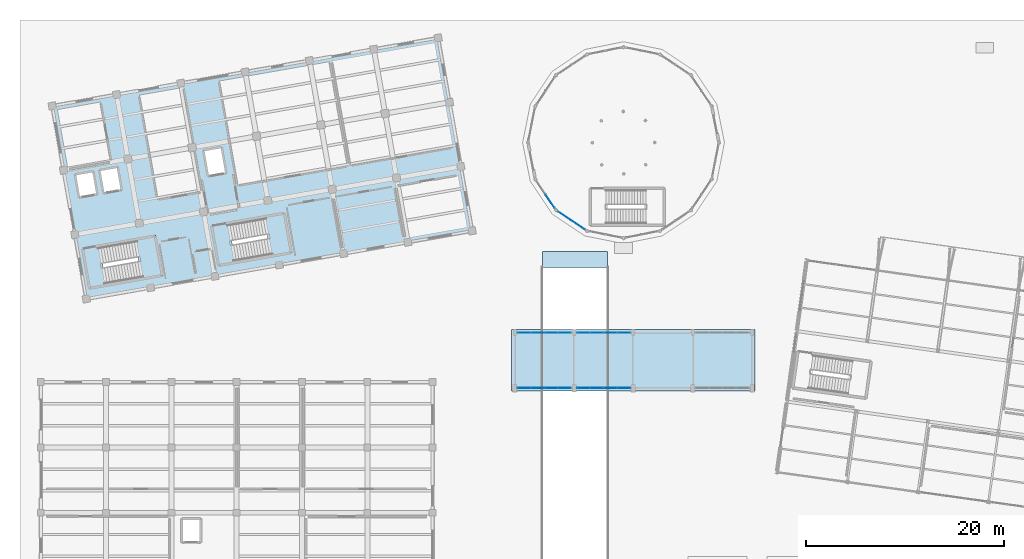
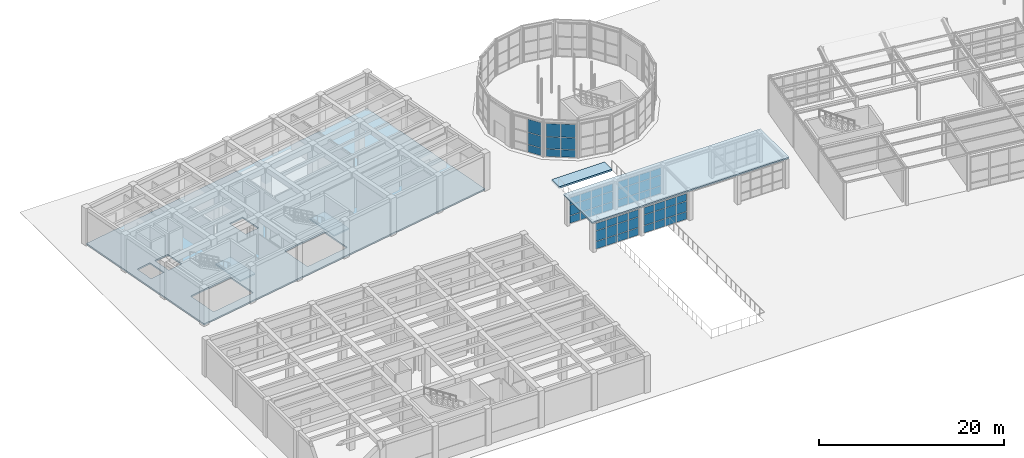
# One storey, part 32 of 57: 57 plates, 5 slabs, 8 elements without a shape of their own.
"""IFC4 building model written with IfcOpenShell, lengths in metres."""

import ifcopenshell
import ifcopenshell.guid

model = None  # the IFC model being written
_history = None  # IfcOwnerHistory: only IFC2X3 demands one
_inside = {}  # id of a spatial element -> (the spatial element, [elements in it])
_under = {}  # id of a project, library or spatial element -> (it, [spatial elements below it])
_declared = {}  # id of a project -> (the project, [libraries it declares])
_typed = {}  # id of a type object -> (the type object, [elements of that type])
_made_of = {}  # id of a material, layer set ... -> (it, [elements and type objects made of it])


def new_model(schema):
    """Start an empty IFC model of exactly this schema.

    Asked for "IFC4X3", IfcOpenShell would pick the latest addendum, in which some entities
    have other attributes; the version numbers below select the first issue.
    IFC2X3 requires an IfcOwnerHistory on every rooted entity: one is made here for all.
    """
    global model, _history
    if schema == "IFC4X3":
        model = ifcopenshell.file(schema_version=(4, 3, 0, 0))
    else:
        model = ifcopenshell.file(schema=schema)
    _inside.clear()
    _under.clear()
    _declared.clear()
    _typed.clear()
    _made_of.clear()
    _history = None
    if model.schema == "IFC2X3":
        org = make("IfcOrganization", Name="unknown")
        user = make(
            "IfcPersonAndOrganization",
            ThePerson=make("IfcPerson", FamilyName="unknown"),
            TheOrganization=org,
        )
        app = make(
            "IfcApplication",
            ApplicationDeveloper=org,
            Version="unknown",
            ApplicationFullName="unknown",
            ApplicationIdentifier="unknown",
        )
        _history = make(
            "IfcOwnerHistory",
            OwningUser=user,
            OwningApplication=app,
            ChangeAction="ADDED",
            CreationDate=0,
        )
    return model


def make(cls, **values):
    """One entity of the class cls with the attributes given. An attribute that is None is left unset."""
    return model.create_entity(
        cls, **{name: value for name, value in values.items() if value is not None}
    )


def rooted(cls, **values):
    """An entity with a GlobalId (a new one), such as an element, a storey or a relation."""
    return make(cls, GlobalId=ifcopenshell.guid.new(), OwnerHistory=_history, **values)


def si_unit(unit_type, name, prefix=None):
    """IfcSIUnit, for example si_unit("LENGTHUNIT", "METRE", prefix="MILLI")."""
    return make("IfcSIUnit", UnitType=unit_type, Prefix=prefix, Name=name)


def assignment(units):
    """IfcUnitAssignment: the units of a project."""
    return None if units is None else make("IfcUnitAssignment", Units=units)


def point(xyz):
    """IfcCartesianPoint."""
    return None if xyz is None else make("IfcCartesianPoint", Coordinates=xyz)


def direction(xyz):
    """IfcDirection."""
    return None if xyz is None else make("IfcDirection", DirectionRatios=xyz)


def frame(location, z_axis=None, x_axis=None):
    """IfcAxis2Placement3D, a coordinate frame: its origin and axes. An axis left out is left unset."""
    return make(
        "IfcAxis2Placement3D",
        Location=point(location),
        Axis=direction(z_axis),
        RefDirection=direction(x_axis),
    )


def frame_2d(location, x_axis=None):
    """IfcAxis2Placement2D, a coordinate frame in the plane: its origin and x axis."""
    return make(
        "IfcAxis2Placement2D", Location=point(location), RefDirection=direction(x_axis)
    )


def origin():
    """The frame at (0, 0, 0) with its axes left unset."""
    return frame((0.0, 0.0, 0.0))


def origin_2d():
    """The frame at (0, 0) in the plane with its x axis left unset."""
    return frame_2d((0.0, 0.0))


def place(relative_to, where):
    """IfcLocalPlacement: puts the frame where relative to a parent placement (None: the world)."""
    return make(
        "IfcLocalPlacement", PlacementRelTo=relative_to, RelativePlacement=where
    )


def context(
    kind, dimensions, precision=None, world=None, true_north=None, identifier=None
):
    """IfcGeometricRepresentationContext, for example the 3D "Model" context."""
    return make(
        "IfcGeometricRepresentationContext",
        ContextIdentifier=identifier,
        ContextType=kind,
        CoordinateSpaceDimension=dimensions,
        Precision=precision,
        WorldCoordinateSystem=world,
        TrueNorth=true_north,
    )


def subcontext(parent, identifier, kind, view, scale=None):
    """IfcGeometricRepresentationSubContext, for example "Body" below "Model"."""
    return make(
        "IfcGeometricRepresentationSubContext",
        ContextIdentifier=identifier,
        ContextType=kind,
        ParentContext=parent,
        TargetScale=scale,
        TargetView=view,
    )


def project(units=None, contexts=None):
    """IfcProject with its units and contexts."""
    return rooted(
        "IfcProject",
        Name="project",
        RepresentationContexts=contexts,
        UnitsInContext=assignment(units),
    )


def spatial(cls, under=None, at=None, **own):
    """A site, building, storey or space (cls), placed at a placement, below another one or the project."""
    s = rooted(cls, ObjectPlacement=at, **own)
    if under is not None:
        _under.setdefault(under.id(), (under, []))[1].append(s)
    return s


def polyline(points):
    """IfcPolyline through the points."""
    return make("IfcPolyline", Points=[point(p) for p in points])


def profile(cls, at=None, kind="AREA", **sizes):
    """A parametric profile (cls). Its sizes go by their IFC names, for example OverallWidth=200.0."""
    return make(cls, ProfileType=kind, Position=at, **sizes)


def rectangle(**sizes):
    """IfcRectangleProfileDef."""
    return profile("IfcRectangleProfileDef", **sizes)


def outline(outer, holes=None, kind="AREA"):
    """IfcArbitraryClosedProfileDef: a profile drawn as a closed curve; with holes, ...WithVoids."""
    if holes is None:
        return make("IfcArbitraryClosedProfileDef", ProfileType=kind, OuterCurve=outer)
    return make(
        "IfcArbitraryProfileDefWithVoids",
        ProfileType=kind,
        OuterCurve=outer,
        InnerCurves=holes,
    )


def extrude(swept, where, along, depth):
    """IfcExtrudedAreaSolid: the profile swept, set in the frame where, extruded along a direction by depth."""
    return make(
        "IfcExtrudedAreaSolid",
        SweptArea=swept,
        Position=where,
        ExtrudedDirection=direction(along),
        Depth=depth,
    )


def shape(context_of_items, identifier, shape_type, items):
    """IfcShapeRepresentation: the items that make up one representation, for example the "Body"."""
    return make(
        "IfcShapeRepresentation",
        ContextOfItems=context_of_items,
        RepresentationIdentifier=identifier,
        RepresentationType=shape_type,
        Items=items,
    )


def material(Name=None, Category=None):
    """IfcMaterial."""
    return make("IfcMaterial", Name=Name, Category=Category)


def layer(
    of_material, thickness, ventilated=None, Name=None, Category=None, Priority=None
):
    """IfcMaterialLayer: one layer of a wall or slab, of a material (None: an air gap)."""
    return make(
        "IfcMaterialLayer",
        Material=of_material,
        LayerThickness=thickness,
        IsVentilated=ventilated,
        Name=Name,
        Category=Category,
        Priority=Priority,
    )


def layer_set(layers, Name=None):
    """IfcMaterialLayerSet."""
    return make("IfcMaterialLayerSet", MaterialLayers=layers, LayerSetName=Name)


def made_of(thing, what):
    """Note that an element or type object is made of a material, layer set ...; save() writes the relation."""
    if what is not None:
        _made_of.setdefault(what.id(), (what, []))[1].append(thing)
    return thing


def type_object(cls, material=None, **own):
    """A type object (cls), such as IfcWallType, which elements share."""
    return made_of(rooted(cls, **own), material)


def element(
    cls,
    number,
    at=None,
    inside=None,
    cuts=None,
    type_object=None,
    material=None,
    context=None,
    identifier="Body",
    shape_type=None,
    held_by="IfcProductDefinitionShape",
    body=None,
    shapes=None,
    **own,
):
    """One element of the class cls, such as IfcWall. Its Tag is "e" and its number.

    at: its placement. inside: the storey or other place that contains it. cuts: it is an
    opening in that element (IfcRelVoidsElement). A single representation is given by context,
    identifier, shape_type and body (its items); several are given by shapes. held_by: the class
    of the entity that holds the representations. save() writes the other relations.
    """
    e = rooted(cls, Tag="e%d" % number, ObjectPlacement=at, **own)
    if body is not None:
        shapes = [shape(context, identifier, shape_type, body)]
    if shapes is not None:
        e.Representation = make(held_by, Representations=shapes)
    if inside is not None:
        _inside.setdefault(inside.id(), (inside, []))[1].append(e)
    if cuts is not None:
        rooted(
            "IfcRelVoidsElement", RelatingBuildingElement=cuts, RelatedOpeningElement=e
        )
    if type_object is not None:
        _typed.setdefault(type_object.id(), (type_object, []))[1].append(e)
    return made_of(e, material)


def aggregate(whole, parts):
    """IfcRelAggregates: a whole, such as a stair, and the parts it consists of."""
    return rooted("IfcRelAggregates", RelatingObject=whole, RelatedObjects=parts)


def save(model, path):
    """Write the relations noted so far, then the file.

    IfcRelAggregates (storeys below a building ...), IfcRelContainedInSpatialStructure (elements
    in a storey), IfcRelDefinesByType, IfcRelAssociatesMaterial and IfcRelDeclares: one each for
    every whole, place, type object, material and project.
    """
    for whole, parts in _under.values():
        aggregate(whole, parts)
    for where, things in _inside.values():
        rooted(
            "IfcRelContainedInSpatialStructure",
            RelatedElements=things,
            RelatingStructure=where,
        )
    for kind, things in _typed.values():
        rooted("IfcRelDefinesByType", RelatedObjects=things, RelatingType=kind)
    for what, things in _made_of.values():
        rooted("IfcRelAssociatesMaterial", RelatedObjects=things, RelatingMaterial=what)
    for by, libraries in _declared.values():
        rooted("IfcRelDeclares", RelatingContext=by, RelatedDefinitions=libraries)
    model.write(path)


model = new_model("IFC4")

# Units and contexts
model_context = context("Model", 3, precision=1e-05, world=origin(), true_north=direction((0.0, 1.0)))
body_context = subcontext(model_context, "Body", "Model", "MODEL_VIEW")
ifc_project = project(units=[si_unit("LENGTHUNIT", "METRE"), si_unit("AREAUNIT", "SQUARE_METRE"), si_unit("VOLUMEUNIT", "CUBIC_METRE"), si_unit("PLANEANGLEUNIT", "RADIAN"), si_unit("MASSUNIT", "GRAM", prefix="KILO")], contexts=[model_context])

# Site, building, storey
site_placement = place(None, origin())
site = spatial("IfcSite", under=ifc_project, at=site_placement, CompositionType="ELEMENT")
building_placement = place(site_placement, origin())
building = spatial("IfcBuilding", under=site, at=building_placement, Name="Kharisveld Research Institute", CompositionType="ELEMENT")
storey_placement = place(building_placement, origin())
storey = spatial("IfcBuildingStorey", under=building, at=storey_placement, Name="L00", CompositionType="ELEMENT", Elevation=0.0)

# Curtain wall, plates
ifc_material_1 = material(Name="Thermally Broken Aluminium Curtain Wall", Category="aluminium")
ifc_layer_1 = layer(ifc_material_1, 0.159912109375)
ifc_layer_set_1 = layer_set([ifc_layer_1], Name="CW_SYS_06")
curtain_wall_type_1 = type_object("IfcCurtainWallType", Name="CW_SYS_06", PredefinedType="NOTDEFINED", material=ifc_layer_set_1)
curtain_wall_1_placement = place(storey_placement, origin())
curtain_wall_1 = element("IfcCurtainWall", 1, at=curtain_wall_1_placement, inside=storey, type_object=curtain_wall_type_1, Name="CW:V6:L00:CHORD09", PredefinedType="NOTDEFINED")
ifc_material_2 = material(Name="Low-E Double Glazing", Category="glass")
ifc_layer_2 = layer(ifc_material_2, 0.028076171875)
ifc_layer_set_2 = layer_set([ifc_layer_2], Name="CW_PNL_GLZ")
plate_type = type_object("IfcPlateType", Name="CW_PNL_GLZ", PredefinedType="CURTAIN_PANEL", material=ifc_layer_set_2)
plate_1_placement = place(storey_placement, frame((52.084716796875, 44.862060546875, 0.06005859375), z_axis=(0.0, 0.0, 1.0), x_axis=(-0.555570109828, 0.831469694616, 0.0)))
plate_1 = element("IfcPlate", 2, at=plate_1_placement, type_object=plate_type, Name="CW-06 panel 1.1", PredefinedType="CURTAIN_PANEL", context=body_context, shape_type="SweptSolid", body=[
    extrude(rectangle(XDim=1.570068359375, YDim=0.028076171875, at=origin_2d()), origin(), (0.0, 0.0, 1.0), 0.9599609375),
])
plate_2_placement = place(storey_placement, frame((52.084716796875, 44.862060546875, 1.080078125), z_axis=(0.0, 0.0, 1.0), x_axis=(-0.555570109828, 0.831469694616, 0.0)))
plate_2 = element("IfcPlate", 3, at=plate_2_placement, type_object=plate_type, Name="CW-06 panel 1.2", PredefinedType="CURTAIN_PANEL", context=body_context, shape_type="SweptSolid", body=[
    extrude(rectangle(XDim=1.570068359375, YDim=0.028076171875, at=origin_2d()), origin(), (0.0, 0.0, 1.0), 1.5400390625),
])
plate_3_placement = place(storey_placement, frame((52.084716796875, 44.862060546875, 2.679931640625), z_axis=(0.0, 0.0, 1.0), x_axis=(-0.555570109828, 0.831469694616, 0.0)))
plate_3 = element("IfcPlate", 4, at=plate_3_placement, type_object=plate_type, Name="CW-06 panel 1.3", PredefinedType="CURTAIN_PANEL", context=body_context, shape_type="SweptSolid", body=[
    extrude(rectangle(XDim=1.570068359375, YDim=0.028076171875, at=origin_2d()), origin(), (0.0, 0.0, 1.0), 1.7099609375),
])
aggregate(curtain_wall_1, [plate_1, plate_2, plate_3])

ifc_material_3 = material(Name="Thermally Broken Aluminium Curtain Wall", Category="aluminium")
ifc_layer_3 = layer(ifc_material_3, 0.159912109375)
ifc_layer_set_3 = layer_set([ifc_layer_3], Name="CW_SYS_01")
curtain_wall_type_2 = type_object("IfcCurtainWallType", Name="CW_SYS_01", PredefinedType="NOTDEFINED", material=ifc_layer_set_3)
curtain_wall_2_placement = place(storey_placement, origin())
curtain_wall_2 = element("IfcCurtainWall", 5, at=curtain_wall_2_placement, inside=storey, type_object=curtain_wall_type_2, Name="CW:V6:L00:CHORD10", PredefinedType="NOTDEFINED")
plate_4_placement = place(storey_placement, frame((54.921630859375, 42.476318359375, 0.06005859375), z_axis=(0.0, 0.0, 1.0), x_axis=(-0.831469694616, 0.555570109828, 0.0)))
plate_4 = element("IfcPlate", 6, at=plate_4_placement, type_object=plate_type, Name="CW-01 panel 1.1", PredefinedType="CURTAIN_PANEL", context=body_context, shape_type="SweptSolid", body=[
    extrude(rectangle(XDim=1.570068359375, YDim=0.028076171875, at=origin_2d()), origin(), (0.0, 0.0, 1.0), 0.9599609375),
])
plate_5_placement = place(storey_placement, frame((54.921630859375, 42.476318359375, 1.080078125), z_axis=(0.0, 0.0, 1.0), x_axis=(-0.831469694616, 0.555570109828, 0.0)))
plate_5 = element("IfcPlate", 7, at=plate_5_placement, type_object=plate_type, Name="CW-01 panel 1.2", PredefinedType="CURTAIN_PANEL", context=body_context, shape_type="SweptSolid", body=[
    extrude(rectangle(XDim=1.570068359375, YDim=0.028076171875, at=origin_2d()), origin(), (0.0, 0.0, 1.0), 1.5400390625),
])
plate_6_placement = place(storey_placement, frame((54.921630859375, 42.476318359375, 2.679931640625), z_axis=(0.0, 0.0, 1.0), x_axis=(-0.831469694616, 0.555570109828, 0.0)))
plate_6 = element("IfcPlate", 8, at=plate_6_placement, type_object=plate_type, Name="CW-01 panel 1.3", PredefinedType="CURTAIN_PANEL", context=body_context, shape_type="SweptSolid", body=[
    extrude(rectangle(XDim=1.570068359375, YDim=0.028076171875, at=origin_2d()), origin(), (0.0, 0.0, 1.0), 1.7099609375),
])
plate_7_placement = place(storey_placement, frame((53.56201171875, 43.384765625, 0.06005859375), z_axis=(0.0, 0.0, 1.0), x_axis=(-0.831469694616, 0.555570109828, 0.0)))
plate_7 = element("IfcPlate", 9, at=plate_7_placement, type_object=plate_type, Name="CW-01 panel 2.1", PredefinedType="CURTAIN_PANEL", context=body_context, shape_type="SweptSolid", body=[
    extrude(rectangle(XDim=1.570068359375, YDim=0.028076171875, at=origin_2d()), origin(), (0.0, 0.0, 1.0), 0.9599609375),
])
plate_8_placement = place(storey_placement, frame((53.56201171875, 43.384765625, 1.080078125), z_axis=(0.0, 0.0, 1.0), x_axis=(-0.831469694616, 0.555570109828, 0.0)))
plate_8 = element("IfcPlate", 10, at=plate_8_placement, type_object=plate_type, Name="CW-01 panel 2.2", PredefinedType="CURTAIN_PANEL", context=body_context, shape_type="SweptSolid", body=[
    extrude(rectangle(XDim=1.570068359375, YDim=0.028076171875, at=origin_2d()), origin(), (0.0, 0.0, 1.0), 1.5400390625),
])
plate_9_placement = place(storey_placement, frame((53.56201171875, 43.384765625, 2.679931640625), z_axis=(0.0, 0.0, 1.0), x_axis=(-0.831469694616, 0.555570109828, 0.0)))
plate_9 = element("IfcPlate", 11, at=plate_9_placement, type_object=plate_type, Name="CW-01 panel 2.3", PredefinedType="CURTAIN_PANEL", context=body_context, shape_type="SweptSolid", body=[
    extrude(rectangle(XDim=1.570068359375, YDim=0.028076171875, at=origin_2d()), origin(), (0.0, 0.0, 1.0), 1.7099609375),
])
aggregate(curtain_wall_2, [plate_4, plate_5, plate_6, plate_7, plate_8, plate_9])

ifc_material_4 = material(Name="Thermally Broken Aluminium Curtain Wall", Category="aluminium")
ifc_layer_4 = layer(ifc_material_4, 0.159912109375)
ifc_layer_set_4 = layer_set([ifc_layer_4], Name="CW_SYS_02")
curtain_wall_type_3 = type_object("IfcCurtainWallType", Name="CW_SYS_02", PredefinedType="NOTDEFINED", material=ifc_layer_set_4)
curtain_wall_3_placement = place(storey_placement, origin())
curtain_wall_3 = element("IfcCurtainWall", 12, at=curtain_wall_3_placement, inside=storey, type_object=curtain_wall_type_3, Name="CW:ARC:L00:S1", PredefinedType="NOTDEFINED")
plate_10_placement = place(storey_placement, frame((53.538818359375, 26.0, 0.06005859375), z_axis=(0.0, 0.0, 1.0), x_axis=(-1.0, 0.0, 0.0)))
plate_10 = element("IfcPlate", 13, at=plate_10_placement, type_object=plate_type, Name="CW-02 panel 1.1", PredefinedType="CURTAIN_PANEL", context=body_context, shape_type="SweptSolid", body=[
    extrude(rectangle(XDim=1.2724609375, YDim=0.028076171875, at=origin_2d()), origin(), (0.0, 0.0, 1.0), 0.9599609375),
])
plate_11_placement = place(storey_placement, frame((53.538818359375, 26.0, 1.080078125), z_axis=(0.0, 0.0, 1.0), x_axis=(-1.0, 0.0, 0.0)))
plate_11 = element("IfcPlate", 14, at=plate_11_placement, type_object=plate_type, Name="CW-02 panel 1.2", PredefinedType="CURTAIN_PANEL", context=body_context, shape_type="SweptSolid", body=[
    extrude(rectangle(XDim=1.2724609375, YDim=0.028076171875, at=origin_2d()), origin(), (0.0, 0.0, 1.0), 1.340087890625),
])
plate_12_placement = place(storey_placement, frame((53.538818359375, 26.0, 2.47998046875), z_axis=(0.0, 0.0, 1.0), x_axis=(-1.0, 0.0, 0.0)))
plate_12 = element("IfcPlate", 15, at=plate_12_placement, type_object=plate_type, Name="CW-02 panel 1.3", PredefinedType="CURTAIN_PANEL", context=body_context, shape_type="SweptSolid", body=[
    extrude(rectangle(XDim=1.2724609375, YDim=0.028076171875, at=origin_2d()), origin(), (0.0, 0.0, 1.0), 0.93994140625),
])
plate_13_placement = place(storey_placement, frame((52.18505859375, 26.0, 0.06005859375), z_axis=(0.0, 0.0, 1.0), x_axis=(-1.0, 0.0, 0.0)))
plate_13 = element("IfcPlate", 16, at=plate_13_placement, type_object=plate_type, Name="CW-02 panel 2.1", PredefinedType="CURTAIN_PANEL", context=body_context, shape_type="SweptSolid", body=[
    extrude(rectangle(XDim=1.304931640625, YDim=0.028076171875, at=origin_2d()), origin(), (0.0, 0.0, 1.0), 0.9599609375),
])
plate_14_placement = place(storey_placement, frame((52.18505859375, 26.0, 1.080078125), z_axis=(0.0, 0.0, 1.0), x_axis=(-1.0, 0.0, 0.0)))
plate_14 = element("IfcPlate", 17, at=plate_14_placement, type_object=plate_type, Name="CW-02 panel 2.2", PredefinedType="CURTAIN_PANEL", context=body_context, shape_type="SweptSolid", body=[
    extrude(rectangle(XDim=1.304931640625, YDim=0.028076171875, at=origin_2d()), origin(), (0.0, 0.0, 1.0), 1.340087890625),
])
plate_15_placement = place(storey_placement, frame((52.18505859375, 26.0, 2.47998046875), z_axis=(0.0, 0.0, 1.0), x_axis=(-1.0, 0.0, 0.0)))
plate_15 = element("IfcPlate", 18, at=plate_15_placement, type_object=plate_type, Name="CW-02 panel 2.3", PredefinedType="CURTAIN_PANEL", context=body_context, shape_type="SweptSolid", body=[
    extrude(rectangle(XDim=1.304931640625, YDim=0.028076171875, at=origin_2d()), origin(), (0.0, 0.0, 1.0), 0.93994140625),
])
plate_16_placement = place(storey_placement, frame((50.81494140625, 26.0, 0.06005859375), z_axis=(0.0, 0.0, 1.0), x_axis=(-1.0, 0.0, 0.0)))
plate_16 = element("IfcPlate", 19, at=plate_16_placement, type_object=plate_type, Name="CW-02 panel 3.1", PredefinedType="CURTAIN_PANEL", context=body_context, shape_type="SweptSolid", body=[
    extrude(rectangle(XDim=1.304931640625, YDim=0.028076171875, at=origin_2d()), origin(), (0.0, 0.0, 1.0), 0.9599609375),
])
plate_17_placement = place(storey_placement, frame((50.81494140625, 26.0, 1.080078125), z_axis=(0.0, 0.0, 1.0), x_axis=(-1.0, 0.0, 0.0)))
plate_17 = element("IfcPlate", 20, at=plate_17_placement, type_object=plate_type, Name="CW-02 panel 3.2", PredefinedType="CURTAIN_PANEL", context=body_context, shape_type="SweptSolid", body=[
    extrude(rectangle(XDim=1.304931640625, YDim=0.028076171875, at=origin_2d()), origin(), (0.0, 0.0, 1.0), 1.340087890625),
])
plate_18_placement = place(storey_placement, frame((50.81494140625, 26.0, 2.47998046875), z_axis=(0.0, 0.0, 1.0), x_axis=(-1.0, 0.0, 0.0)))
plate_18 = element("IfcPlate", 21, at=plate_18_placement, type_object=plate_type, Name="CW-02 panel 3.3", PredefinedType="CURTAIN_PANEL", context=body_context, shape_type="SweptSolid", body=[
    extrude(rectangle(XDim=1.304931640625, YDim=0.028076171875, at=origin_2d()), origin(), (0.0, 0.0, 1.0), 0.93994140625),
])
plate_19_placement = place(storey_placement, frame((49.461181640625, 26.0, 0.06005859375), z_axis=(0.0, 0.0, 1.0), x_axis=(-1.0, 0.0, 0.0)))
plate_19 = element("IfcPlate", 22, at=plate_19_placement, type_object=plate_type, Name="CW-02 panel 4.1", PredefinedType="CURTAIN_PANEL", context=body_context, shape_type="SweptSolid", body=[
    extrude(rectangle(XDim=1.2724609375, YDim=0.028076171875, at=origin_2d()), origin(), (0.0, 0.0, 1.0), 0.9599609375),
])
plate_20_placement = place(storey_placement, frame((49.461181640625, 26.0, 1.080078125), z_axis=(0.0, 0.0, 1.0), x_axis=(-1.0, 0.0, 0.0)))
plate_20 = element("IfcPlate", 23, at=plate_20_placement, type_object=plate_type, Name="CW-02 panel 4.2", PredefinedType="CURTAIN_PANEL", context=body_context, shape_type="SweptSolid", body=[
    extrude(rectangle(XDim=1.2724609375, YDim=0.028076171875, at=origin_2d()), origin(), (0.0, 0.0, 1.0), 1.340087890625),
])
plate_21_placement = place(storey_placement, frame((49.461181640625, 26.0, 2.47998046875), z_axis=(0.0, 0.0, 1.0), x_axis=(-1.0, 0.0, 0.0)))
plate_21 = element("IfcPlate", 24, at=plate_21_placement, type_object=plate_type, Name="CW-02 panel 4.3", PredefinedType="CURTAIN_PANEL", context=body_context, shape_type="SweptSolid", body=[
    extrude(rectangle(XDim=1.2724609375, YDim=0.028076171875, at=origin_2d()), origin(), (0.0, 0.0, 1.0), 0.93994140625),
])
aggregate(curtain_wall_3, [plate_10, plate_11, plate_12, plate_13, plate_14, plate_15, plate_16, plate_17, plate_18, plate_19, plate_20, plate_21])

curtain_wall_4_placement = place(storey_placement, origin())
curtain_wall_4 = element("IfcCurtainWall", 25, at=curtain_wall_4_placement, inside=storey, type_object=curtain_wall_type_3, Name="CW:ARC:L00:S2", PredefinedType="NOTDEFINED")
plate_22_placement = place(storey_placement, frame((59.538818359375, 26.0, 0.06005859375), z_axis=(0.0, 0.0, 1.0), x_axis=(-1.0, 0.0, 0.0)))
plate_22 = element("IfcPlate", 26, at=plate_22_placement, type_object=plate_type, Name="CW-02 panel 1.1", PredefinedType="CURTAIN_PANEL", context=body_context, shape_type="SweptSolid", body=[
    extrude(rectangle(XDim=1.2724609375, YDim=0.028076171875, at=origin_2d()), origin(), (0.0, 0.0, 1.0), 0.9599609375),
])
plate_23_placement = place(storey_placement, frame((59.538818359375, 26.0, 1.080078125), z_axis=(0.0, 0.0, 1.0), x_axis=(-1.0, 0.0, 0.0)))
plate_23 = element("IfcPlate", 27, at=plate_23_placement, type_object=plate_type, Name="CW-02 panel 1.2", PredefinedType="CURTAIN_PANEL", context=body_context, shape_type="SweptSolid", body=[
    extrude(rectangle(XDim=1.2724609375, YDim=0.028076171875, at=origin_2d()), origin(), (0.0, 0.0, 1.0), 1.340087890625),
])
plate_24_placement = place(storey_placement, frame((59.538818359375, 26.0, 2.47998046875), z_axis=(0.0, 0.0, 1.0), x_axis=(-1.0, 0.0, 0.0)))
plate_24 = element("IfcPlate", 28, at=plate_24_placement, type_object=plate_type, Name="CW-02 panel 1.3", PredefinedType="CURTAIN_PANEL", context=body_context, shape_type="SweptSolid", body=[
    extrude(rectangle(XDim=1.2724609375, YDim=0.028076171875, at=origin_2d()), origin(), (0.0, 0.0, 1.0), 0.93994140625),
])
plate_25_placement = place(storey_placement, frame((58.18505859375, 26.0, 0.06005859375), z_axis=(0.0, 0.0, 1.0), x_axis=(-1.0, 0.0, 0.0)))
plate_25 = element("IfcPlate", 29, at=plate_25_placement, type_object=plate_type, Name="CW-02 panel 2.1", PredefinedType="CURTAIN_PANEL", context=body_context, shape_type="SweptSolid", body=[
    extrude(rectangle(XDim=1.304931640625, YDim=0.028076171875, at=origin_2d()), origin(), (0.0, 0.0, 1.0), 0.9599609375),
])
plate_26_placement = place(storey_placement, frame((58.18505859375, 26.0, 1.080078125), z_axis=(0.0, 0.0, 1.0), x_axis=(-1.0, 0.0, 0.0)))
plate_26 = element("IfcPlate", 30, at=plate_26_placement, type_object=plate_type, Name="CW-02 panel 2.2", PredefinedType="CURTAIN_PANEL", context=body_context, shape_type="SweptSolid", body=[
    extrude(rectangle(XDim=1.304931640625, YDim=0.028076171875, at=origin_2d()), origin(), (0.0, 0.0, 1.0), 1.340087890625),
])
plate_27_placement = place(storey_placement, frame((58.18505859375, 26.0, 2.47998046875), z_axis=(0.0, 0.0, 1.0), x_axis=(-1.0, 0.0, 0.0)))
plate_27 = element("IfcPlate", 31, at=plate_27_placement, type_object=plate_type, Name="CW-02 panel 2.3", PredefinedType="CURTAIN_PANEL", context=body_context, shape_type="SweptSolid", body=[
    extrude(rectangle(XDim=1.304931640625, YDim=0.028076171875, at=origin_2d()), origin(), (0.0, 0.0, 1.0), 0.93994140625),
])
plate_28_placement = place(storey_placement, frame((56.81494140625, 26.0, 0.06005859375), z_axis=(0.0, 0.0, 1.0), x_axis=(-1.0, 0.0, 0.0)))
plate_28 = element("IfcPlate", 32, at=plate_28_placement, type_object=plate_type, Name="CW-02 panel 3.1", PredefinedType="CURTAIN_PANEL", context=body_context, shape_type="SweptSolid", body=[
    extrude(rectangle(XDim=1.304931640625, YDim=0.028076171875, at=origin_2d()), origin(), (0.0, 0.0, 1.0), 0.9599609375),
])
plate_29_placement = place(storey_placement, frame((56.81494140625, 26.0, 1.080078125), z_axis=(0.0, 0.0, 1.0), x_axis=(-1.0, 0.0, 0.0)))
plate_29 = element("IfcPlate", 33, at=plate_29_placement, type_object=plate_type, Name="CW-02 panel 3.2", PredefinedType="CURTAIN_PANEL", context=body_context, shape_type="SweptSolid", body=[
    extrude(rectangle(XDim=1.304931640625, YDim=0.028076171875, at=origin_2d()), origin(), (0.0, 0.0, 1.0), 1.340087890625),
])
plate_30_placement = place(storey_placement, frame((56.81494140625, 26.0, 2.47998046875), z_axis=(0.0, 0.0, 1.0), x_axis=(-1.0, 0.0, 0.0)))
plate_30 = element("IfcPlate", 34, at=plate_30_placement, type_object=plate_type, Name="CW-02 panel 3.3", PredefinedType="CURTAIN_PANEL", context=body_context, shape_type="SweptSolid", body=[
    extrude(rectangle(XDim=1.304931640625, YDim=0.028076171875, at=origin_2d()), origin(), (0.0, 0.0, 1.0), 0.93994140625),
])
plate_31_placement = place(storey_placement, frame((55.461181640625, 26.0, 0.06005859375), z_axis=(0.0, 0.0, 1.0), x_axis=(-1.0, 0.0, 0.0)))
plate_31 = element("IfcPlate", 35, at=plate_31_placement, type_object=plate_type, Name="CW-02 panel 4.1", PredefinedType="CURTAIN_PANEL", context=body_context, shape_type="SweptSolid", body=[
    extrude(rectangle(XDim=1.2724609375, YDim=0.028076171875, at=origin_2d()), origin(), (0.0, 0.0, 1.0), 0.9599609375),
])
plate_32_placement = place(storey_placement, frame((55.461181640625, 26.0, 1.080078125), z_axis=(0.0, 0.0, 1.0), x_axis=(-1.0, 0.0, 0.0)))
plate_32 = element("IfcPlate", 36, at=plate_32_placement, type_object=plate_type, Name="CW-02 panel 4.2", PredefinedType="CURTAIN_PANEL", context=body_context, shape_type="SweptSolid", body=[
    extrude(rectangle(XDim=1.2724609375, YDim=0.028076171875, at=origin_2d()), origin(), (0.0, 0.0, 1.0), 1.340087890625),
])
plate_33_placement = place(storey_placement, frame((55.461181640625, 26.0, 2.47998046875), z_axis=(0.0, 0.0, 1.0), x_axis=(-1.0, 0.0, 0.0)))
plate_33 = element("IfcPlate", 37, at=plate_33_placement, type_object=plate_type, Name="CW-02 panel 4.3", PredefinedType="CURTAIN_PANEL", context=body_context, shape_type="SweptSolid", body=[
    extrude(rectangle(XDim=1.2724609375, YDim=0.028076171875, at=origin_2d()), origin(), (0.0, 0.0, 1.0), 0.93994140625),
])
aggregate(curtain_wall_4, [plate_22, plate_23, plate_24, plate_25, plate_26, plate_27, plate_28, plate_29, plate_30, plate_31, plate_32, plate_33])

curtain_wall_5_placement = place(storey_placement, origin())
curtain_wall_5 = element("IfcCurtainWall", 38, at=curtain_wall_5_placement, inside=storey, type_object=curtain_wall_type_3, Name="CW:ARC:L00:N1", PredefinedType="NOTDEFINED")
plate_34_placement = place(storey_placement, frame((49.461181640625, 31.60009765625, 0.06005859375), z_axis=(0.0, 0.0, 1.0), x_axis=(1.0, 0.0, 0.0)))
plate_34 = element("IfcPlate", 39, at=plate_34_placement, type_object=plate_type, Name="CW-02 panel 1.1", PredefinedType="CURTAIN_PANEL", context=body_context, shape_type="SweptSolid", body=[
    extrude(rectangle(XDim=1.2724609375, YDim=0.028076171875, at=origin_2d()), origin(), (0.0, 0.0, 1.0), 0.9599609375),
])
plate_35_placement = place(storey_placement, frame((49.461181640625, 31.60009765625, 1.080078125), z_axis=(0.0, 0.0, 1.0), x_axis=(1.0, 0.0, 0.0)))
plate_35 = element("IfcPlate", 40, at=plate_35_placement, type_object=plate_type, Name="CW-02 panel 1.2", PredefinedType="CURTAIN_PANEL", context=body_context, shape_type="SweptSolid", body=[
    extrude(rectangle(XDim=1.2724609375, YDim=0.028076171875, at=origin_2d()), origin(), (0.0, 0.0, 1.0), 1.340087890625),
])
plate_36_placement = place(storey_placement, frame((49.461181640625, 31.60009765625, 2.47998046875), z_axis=(0.0, 0.0, 1.0), x_axis=(1.0, 0.0, 0.0)))
plate_36 = element("IfcPlate", 41, at=plate_36_placement, type_object=plate_type, Name="CW-02 panel 1.3", PredefinedType="CURTAIN_PANEL", context=body_context, shape_type="SweptSolid", body=[
    extrude(rectangle(XDim=1.2724609375, YDim=0.028076171875, at=origin_2d()), origin(), (0.0, 0.0, 1.0), 0.93994140625),
])
plate_37_placement = place(storey_placement, frame((50.81494140625, 31.60009765625, 0.06005859375), z_axis=(0.0, 0.0, 1.0), x_axis=(1.0, 0.0, 0.0)))
plate_37 = element("IfcPlate", 42, at=plate_37_placement, type_object=plate_type, Name="CW-02 panel 2.1", PredefinedType="CURTAIN_PANEL", context=body_context, shape_type="SweptSolid", body=[
    extrude(rectangle(XDim=1.304931640625, YDim=0.028076171875, at=origin_2d()), origin(), (0.0, 0.0, 1.0), 0.9599609375),
])
plate_38_placement = place(storey_placement, frame((50.81494140625, 31.60009765625, 1.080078125), z_axis=(0.0, 0.0, 1.0), x_axis=(1.0, 0.0, 0.0)))
plate_38 = element("IfcPlate", 43, at=plate_38_placement, type_object=plate_type, Name="CW-02 panel 2.2", PredefinedType="CURTAIN_PANEL", context=body_context, shape_type="SweptSolid", body=[
    extrude(rectangle(XDim=1.304931640625, YDim=0.028076171875, at=origin_2d()), origin(), (0.0, 0.0, 1.0), 1.340087890625),
])
plate_39_placement = place(storey_placement, frame((50.81494140625, 31.60009765625, 2.47998046875), z_axis=(0.0, 0.0, 1.0), x_axis=(1.0, 0.0, 0.0)))
plate_39 = element("IfcPlate", 44, at=plate_39_placement, type_object=plate_type, Name="CW-02 panel 2.3", PredefinedType="CURTAIN_PANEL", context=body_context, shape_type="SweptSolid", body=[
    extrude(rectangle(XDim=1.304931640625, YDim=0.028076171875, at=origin_2d()), origin(), (0.0, 0.0, 1.0), 0.93994140625),
])
plate_40_placement = place(storey_placement, frame((52.18505859375, 31.60009765625, 0.06005859375), z_axis=(0.0, 0.0, 1.0), x_axis=(1.0, 0.0, 0.0)))
plate_40 = element("IfcPlate", 45, at=plate_40_placement, type_object=plate_type, Name="CW-02 panel 3.1", PredefinedType="CURTAIN_PANEL", context=body_context, shape_type="SweptSolid", body=[
    extrude(rectangle(XDim=1.304931640625, YDim=0.028076171875, at=origin_2d()), origin(), (0.0, 0.0, 1.0), 0.9599609375),
])
plate_41_placement = place(storey_placement, frame((52.18505859375, 31.60009765625, 1.080078125), z_axis=(0.0, 0.0, 1.0), x_axis=(1.0, 0.0, 0.0)))
plate_41 = element("IfcPlate", 46, at=plate_41_placement, type_object=plate_type, Name="CW-02 panel 3.2", PredefinedType="CURTAIN_PANEL", context=body_context, shape_type="SweptSolid", body=[
    extrude(rectangle(XDim=1.304931640625, YDim=0.028076171875, at=origin_2d()), origin(), (0.0, 0.0, 1.0), 1.340087890625),
])
plate_42_placement = place(storey_placement, frame((52.18505859375, 31.60009765625, 2.47998046875), z_axis=(0.0, 0.0, 1.0), x_axis=(1.0, 0.0, 0.0)))
plate_42 = element("IfcPlate", 47, at=plate_42_placement, type_object=plate_type, Name="CW-02 panel 3.3", PredefinedType="CURTAIN_PANEL", context=body_context, shape_type="SweptSolid", body=[
    extrude(rectangle(XDim=1.304931640625, YDim=0.028076171875, at=origin_2d()), origin(), (0.0, 0.0, 1.0), 0.93994140625),
])
plate_43_placement = place(storey_placement, frame((53.538818359375, 31.60009765625, 0.06005859375), z_axis=(0.0, 0.0, 1.0), x_axis=(1.0, 0.0, 0.0)))
plate_43 = element("IfcPlate", 48, at=plate_43_placement, type_object=plate_type, Name="CW-02 panel 4.1", PredefinedType="CURTAIN_PANEL", context=body_context, shape_type="SweptSolid", body=[
    extrude(rectangle(XDim=1.2724609375, YDim=0.028076171875, at=origin_2d()), origin(), (0.0, 0.0, 1.0), 0.9599609375),
])
plate_44_placement = place(storey_placement, frame((53.538818359375, 31.60009765625, 1.080078125), z_axis=(0.0, 0.0, 1.0), x_axis=(1.0, 0.0, 0.0)))
plate_44 = element("IfcPlate", 49, at=plate_44_placement, type_object=plate_type, Name="CW-02 panel 4.2", PredefinedType="CURTAIN_PANEL", context=body_context, shape_type="SweptSolid", body=[
    extrude(rectangle(XDim=1.2724609375, YDim=0.028076171875, at=origin_2d()), origin(), (0.0, 0.0, 1.0), 1.340087890625),
])
plate_45_placement = place(storey_placement, frame((53.538818359375, 31.60009765625, 2.47998046875), z_axis=(0.0, 0.0, 1.0), x_axis=(1.0, 0.0, 0.0)))
plate_45 = element("IfcPlate", 50, at=plate_45_placement, type_object=plate_type, Name="CW-02 panel 4.3", PredefinedType="CURTAIN_PANEL", context=body_context, shape_type="SweptSolid", body=[
    extrude(rectangle(XDim=1.2724609375, YDim=0.028076171875, at=origin_2d()), origin(), (0.0, 0.0, 1.0), 0.93994140625),
])
aggregate(curtain_wall_5, [plate_34, plate_35, plate_36, plate_37, plate_38, plate_39, plate_40, plate_41, plate_42, plate_43, plate_44, plate_45])

curtain_wall_6_placement = place(storey_placement, origin())
curtain_wall_6 = element("IfcCurtainWall", 51, at=curtain_wall_6_placement, inside=storey, type_object=curtain_wall_type_3, Name="CW:ARC:L00:N2", PredefinedType="NOTDEFINED")
plate_46_placement = place(storey_placement, frame((55.461181640625, 31.60009765625, 0.06005859375), z_axis=(0.0, 0.0, 1.0), x_axis=(1.0, 0.0, 0.0)))
plate_46 = element("IfcPlate", 52, at=plate_46_placement, type_object=plate_type, Name="CW-02 panel 1.1", PredefinedType="CURTAIN_PANEL", context=body_context, shape_type="SweptSolid", body=[
    extrude(rectangle(XDim=1.2724609375, YDim=0.028076171875, at=origin_2d()), origin(), (0.0, 0.0, 1.0), 0.9599609375),
])
plate_47_placement = place(storey_placement, frame((55.461181640625, 31.60009765625, 1.080078125), z_axis=(0.0, 0.0, 1.0), x_axis=(1.0, 0.0, 0.0)))
plate_47 = element("IfcPlate", 53, at=plate_47_placement, type_object=plate_type, Name="CW-02 panel 1.2", PredefinedType="CURTAIN_PANEL", context=body_context, shape_type="SweptSolid", body=[
    extrude(rectangle(XDim=1.2724609375, YDim=0.028076171875, at=origin_2d()), origin(), (0.0, 0.0, 1.0), 1.340087890625),
])
plate_48_placement = place(storey_placement, frame((55.461181640625, 31.60009765625, 2.47998046875), z_axis=(0.0, 0.0, 1.0), x_axis=(1.0, 0.0, 0.0)))
plate_48 = element("IfcPlate", 54, at=plate_48_placement, type_object=plate_type, Name="CW-02 panel 1.3", PredefinedType="CURTAIN_PANEL", context=body_context, shape_type="SweptSolid", body=[
    extrude(rectangle(XDim=1.2724609375, YDim=0.028076171875, at=origin_2d()), origin(), (0.0, 0.0, 1.0), 0.93994140625),
])
plate_49_placement = place(storey_placement, frame((56.81494140625, 31.60009765625, 0.06005859375), z_axis=(0.0, 0.0, 1.0), x_axis=(1.0, 0.0, 0.0)))
plate_49 = element("IfcPlate", 55, at=plate_49_placement, type_object=plate_type, Name="CW-02 panel 2.1", PredefinedType="CURTAIN_PANEL", context=body_context, shape_type="SweptSolid", body=[
    extrude(rectangle(XDim=1.304931640625, YDim=0.028076171875, at=origin_2d()), origin(), (0.0, 0.0, 1.0), 0.9599609375),
])
plate_50_placement = place(storey_placement, frame((56.81494140625, 31.60009765625, 1.080078125), z_axis=(0.0, 0.0, 1.0), x_axis=(1.0, 0.0, 0.0)))
plate_50 = element("IfcPlate", 56, at=plate_50_placement, type_object=plate_type, Name="CW-02 panel 2.2", PredefinedType="CURTAIN_PANEL", context=body_context, shape_type="SweptSolid", body=[
    extrude(rectangle(XDim=1.304931640625, YDim=0.028076171875, at=origin_2d()), origin(), (0.0, 0.0, 1.0), 1.340087890625),
])
plate_51_placement = place(storey_placement, frame((56.81494140625, 31.60009765625, 2.47998046875), z_axis=(0.0, 0.0, 1.0), x_axis=(1.0, 0.0, 0.0)))
plate_51 = element("IfcPlate", 57, at=plate_51_placement, type_object=plate_type, Name="CW-02 panel 2.3", PredefinedType="CURTAIN_PANEL", context=body_context, shape_type="SweptSolid", body=[
    extrude(rectangle(XDim=1.304931640625, YDim=0.028076171875, at=origin_2d()), origin(), (0.0, 0.0, 1.0), 0.93994140625),
])
plate_52_placement = place(storey_placement, frame((58.18505859375, 31.60009765625, 0.06005859375), z_axis=(0.0, 0.0, 1.0), x_axis=(1.0, 0.0, 0.0)))
plate_52 = element("IfcPlate", 58, at=plate_52_placement, type_object=plate_type, Name="CW-02 panel 3.1", PredefinedType="CURTAIN_PANEL", context=body_context, shape_type="SweptSolid", body=[
    extrude(rectangle(XDim=1.304931640625, YDim=0.028076171875, at=origin_2d()), origin(), (0.0, 0.0, 1.0), 0.9599609375),
])
plate_53_placement = place(storey_placement, frame((58.18505859375, 31.60009765625, 1.080078125), z_axis=(0.0, 0.0, 1.0), x_axis=(1.0, 0.0, 0.0)))
plate_53 = element("IfcPlate", 59, at=plate_53_placement, type_object=plate_type, Name="CW-02 panel 3.2", PredefinedType="CURTAIN_PANEL", context=body_context, shape_type="SweptSolid", body=[
    extrude(rectangle(XDim=1.304931640625, YDim=0.028076171875, at=origin_2d()), origin(), (0.0, 0.0, 1.0), 1.340087890625),
])
plate_54_placement = place(storey_placement, frame((58.18505859375, 31.60009765625, 2.47998046875), z_axis=(0.0, 0.0, 1.0), x_axis=(1.0, 0.0, 0.0)))
plate_54 = element("IfcPlate", 60, at=plate_54_placement, type_object=plate_type, Name="CW-02 panel 3.3", PredefinedType="CURTAIN_PANEL", context=body_context, shape_type="SweptSolid", body=[
    extrude(rectangle(XDim=1.304931640625, YDim=0.028076171875, at=origin_2d()), origin(), (0.0, 0.0, 1.0), 0.93994140625),
])
plate_55_placement = place(storey_placement, frame((59.538818359375, 31.60009765625, 0.06005859375), z_axis=(0.0, 0.0, 1.0), x_axis=(1.0, 0.0, 0.0)))
plate_55 = element("IfcPlate", 61, at=plate_55_placement, type_object=plate_type, Name="CW-02 panel 4.1", PredefinedType="CURTAIN_PANEL", context=body_context, shape_type="SweptSolid", body=[
    extrude(rectangle(XDim=1.2724609375, YDim=0.028076171875, at=origin_2d()), origin(), (0.0, 0.0, 1.0), 0.9599609375),
])
plate_56_placement = place(storey_placement, frame((59.538818359375, 31.60009765625, 1.080078125), z_axis=(0.0, 0.0, 1.0), x_axis=(1.0, 0.0, 0.0)))
plate_56 = element("IfcPlate", 62, at=plate_56_placement, type_object=plate_type, Name="CW-02 panel 4.2", PredefinedType="CURTAIN_PANEL", context=body_context, shape_type="SweptSolid", body=[
    extrude(rectangle(XDim=1.2724609375, YDim=0.028076171875, at=origin_2d()), origin(), (0.0, 0.0, 1.0), 1.340087890625),
])
plate_57_placement = place(storey_placement, frame((59.538818359375, 31.60009765625, 2.47998046875), z_axis=(0.0, 0.0, 1.0), x_axis=(1.0, 0.0, 0.0)))
plate_57 = element("IfcPlate", 63, at=plate_57_placement, type_object=plate_type, Name="CW-02 panel 4.3", PredefinedType="CURTAIN_PANEL", context=body_context, shape_type="SweptSolid", body=[
    extrude(rectangle(XDim=1.2724609375, YDim=0.028076171875, at=origin_2d()), origin(), (0.0, 0.0, 1.0), 0.93994140625),
])
aggregate(curtain_wall_6, [plate_46, plate_47, plate_48, plate_49, plate_50, plate_51, plate_52, plate_53, plate_54, plate_55, plate_56, plate_57])

# Slabs
ifc_material_5 = material(Name="Concrete C40/50", Category="concrete")
ifc_layer_5 = layer(ifc_material_5, 0.18994140625)
ifc_layer_set_5 = layer_set([ifc_layer_5], Name="SL_FLR_190")
slab_type_1 = type_object("IfcSlabType", Name="SL_FLR_190", PredefinedType="FLOOR", material=ifc_layer_set_5)
slab_1_placement = place(storey_placement, frame((0.0, 0.0, -0.18994140625)))
element("IfcSlab", 64, at=slab_1_placement, inside=storey, type_object=slab_type_1, Name="SLAB:V1:L00:MAIN", PredefinedType="FLOOR", context=body_context, shape_type="SweptSolid", body=[
    extrude(outline(polyline([(5.199951171875, 35.010009765625), (44.198486328125, 41.886474609375), (40.76025390625, 61.3857421875), (1.76171875, 54.50927734375), (5.199951171875, 35.010009765625)]), holes=[polyline([(12.73974609375, 37.45654296875), (7.224853515625, 36.48388671875), (6.554443359375, 40.285400390625), (12.0693359375, 41.2578125), (12.73974609375, 37.45654296875)]), polyline([(25.788330078125, 39.75732421875), (20.2734375, 38.784912109375), (19.603271484375, 42.586181640625), (25.1181640625, 43.55859375), (25.788330078125, 39.75732421875)]), polyline([(6.29931640625, 45.591552734375), (4.487060546875, 45.272216796875), (4.080810546875, 47.57666015625), (5.892822265625, 47.89599609375), (6.29931640625, 45.591552734375)]), polyline([(6.94921875, 45.706298828125), (6.54296875, 48.0107421875), (8.35498046875, 48.330322265625), (8.76123046875, 46.025634765625), (6.94921875, 45.706298828125)]), polyline([(17.5126953125, 47.41650390625), (17.05419921875, 50.016357421875), (18.8662109375, 50.3359375), (19.32470703125, 47.736083984375), (17.5126953125, 47.41650390625)])]), origin(), (0.0, 0.0, 1.0), 0.18994140625),
])
ifc_material_6 = material(Name="Concrete C40/50", Category="concrete")
ifc_layer_6 = layer(ifc_material_6, 0.219970703125)
ifc_layer_set_6 = layer_set([ifc_layer_6], Name="SL_FLR_220")
slab_type_2 = type_object("IfcSlabType", Name="SL_FLR_220", PredefinedType="FLOOR", material=ifc_layer_set_6)
slab_2_placement = place(storey_placement, frame((0.0, 0.0, -0.219970703125)))
element("IfcSlab", 65, at=slab_2_placement, inside=storey, type_object=slab_type_2, Name="SLAB:L00:CAR_RAMP_ARRIVAL", PredefinedType="FLOOR", context=body_context, shape_type="SweptSolid", body=[
    extrude(outline(polyline([(51.300048828125, 38.199951171875), (57.89990234375, 38.199951171875), (57.89990234375, 39.800048828125), (51.300048828125, 39.800048828125), (51.300048828125, 38.199951171875)])), origin(), (0.0, 0.0, 1.0), 0.219970703125),
])

# Stair, slab
ifc_material_7 = material(Name="Concrete C40/50", Category="concrete")
stair_type = type_object("IfcStairType", Name="ST_EXIT_170", PredefinedType="TWO_STRAIGHT_RUN_STAIR", material=ifc_material_7)
stair_1_placement = place(storey_placement, origin())
stair_1 = element("IfcStair", 66, at=stair_1_placement, inside=storey, type_object=stair_type, Name="STR:ST1:L00", PredefinedType="TWO_STRAIGHT_RUN_STAIR")
ifc_material_8 = material(Name="Concrete C40/50", Category="concrete")
ifc_layer_7 = layer(ifc_material_8, 0.179931640625)
ifc_layer_set_7 = layer_set([ifc_layer_7], Name="SL_LND_180")
slab_type_3 = type_object("IfcSlabType", Name="SL_LND_180", PredefinedType="LANDING", material=ifc_layer_set_7)
slab_3_placement = place(storey_placement, frame((0.0, 0.0, 2.3701171875)))
slab_3 = element("IfcSlab", 67, at=slab_3_placement, type_object=slab_type_3, Name="ST-01 landing 1", PredefinedType="LANDING", context=body_context, shape_type="SweptSolid", body=[
    extrude(outline(polyline([(10.822265625, 36.986328125), (12.909912109375, 37.3544921875), (12.194580078125, 41.411865234375), (10.106689453125, 41.043701171875), (10.822265625, 36.986328125)])), origin(), (0.0, 0.0, 1.0), 0.179931640625),
])
aggregate(stair_1, [slab_3])

stair_2_placement = place(storey_placement, origin())
stair_2 = element("IfcStair", 68, at=stair_2_placement, inside=storey, type_object=stair_type, Name="STR:ST2:L00", PredefinedType="TWO_STRAIGHT_RUN_STAIR")
slab_4_placement = place(storey_placement, frame((0.0, 0.0, 2.3701171875)))
slab_4 = element("IfcSlab", 69, at=slab_4_placement, type_object=slab_type_3, Name="ST-02 landing 1", PredefinedType="LANDING", context=body_context, shape_type="SweptSolid", body=[
    extrude(outline(polyline([(23.870849609375, 39.287109375), (25.958740234375, 39.6552734375), (25.243408203125, 43.712646484375), (23.155517578125, 43.344482421875), (23.870849609375, 39.287109375)])), origin(), (0.0, 0.0, 1.0), 0.179931640625),
])
aggregate(stair_2, [slab_4])

# Slab
ifc_material_9 = material(Name="Concrete C40/50", Category="concrete")
ifc_layer_8 = layer(ifc_material_9, 0.175048828125)
ifc_layer_set_8 = layer_set([ifc_layer_8], Name="SL_ROOF_175")
slab_type_4 = type_object("IfcSlabType", Name="SL_ROOF_175", PredefinedType="ROOF", material=ifc_layer_set_8)
slab_5_placement = place(storey_placement, frame((0.0, 0.0, 3.800048828125)))
element("IfcSlab", 70, at=slab_5_placement, inside=storey, type_object=slab_type_4, Name="SLAB:ARC:L00:LINKROOF", PredefinedType="ROOF", context=body_context, shape_type="SweptSolid", body=[
    extrude(outline(polyline([(48.199951171875, 25.699951171875), (72.800048828125, 25.699951171875), (72.800048828125, 31.89990234375), (48.199951171875, 31.89990234375), (48.199951171875, 25.699951171875)])), origin(), (0.0, 0.0, 1.0), 0.175048828125),
])

save(model, "model.ifc")
